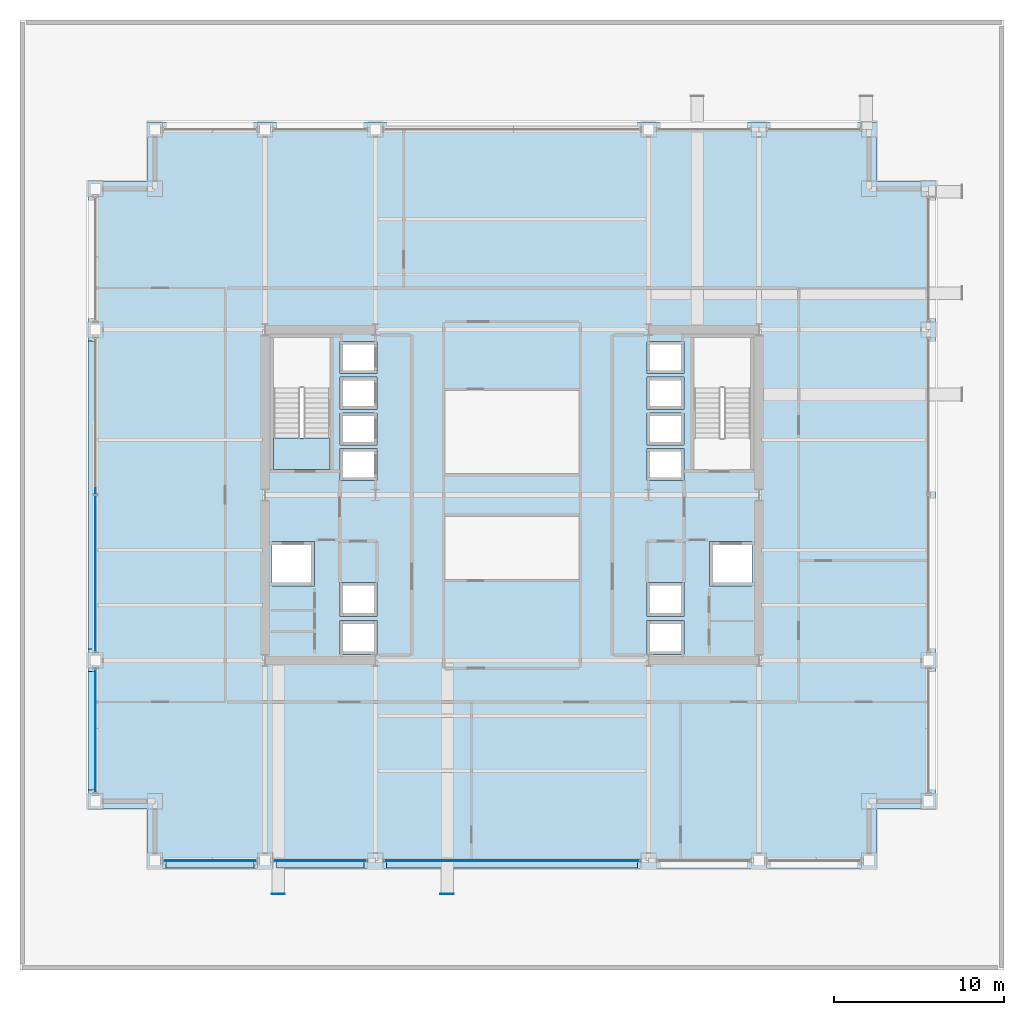
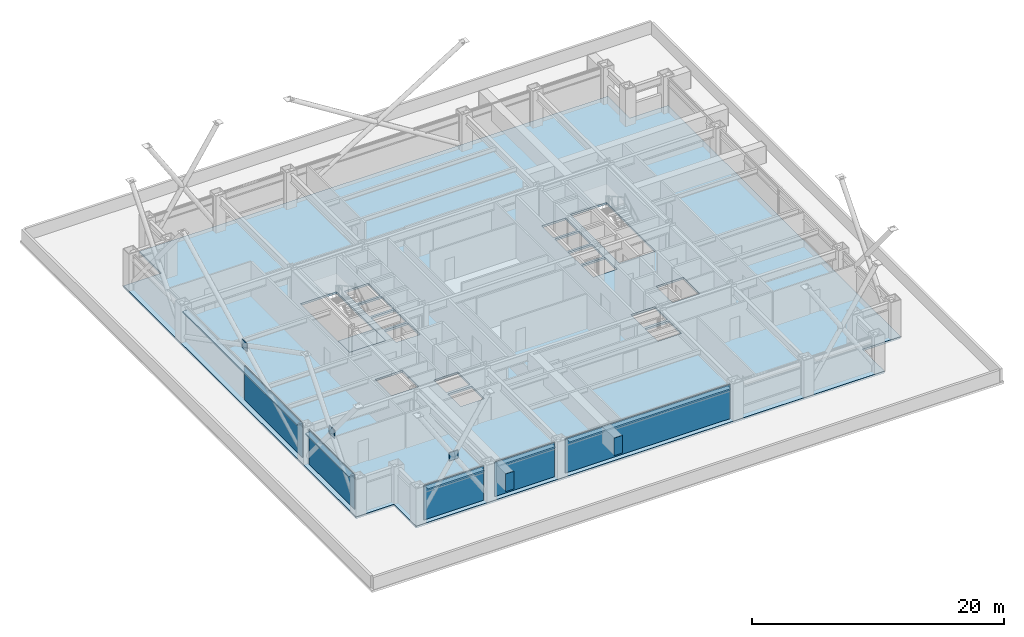
# One storey, part 26 of 33: 15 plates, 2 slabs, 5 elements without a shape of their own.
"""IFC4 building model written with IfcOpenShell, lengths in metres."""

from ifc_helpers import new_model, si_unit, direction, frame, origin, origin_2d, place, context, subcontext, project, spatial, polyline, rectangle, outline, extrude, material, layer, layer_set, type_object, element, aggregate, save


model = new_model("IFC4")

# Units and contexts
model_context = context("Model", 3, precision=1e-05, world=origin(), true_north=direction((0.0, 1.0)))
body_context = subcontext(model_context, "Body", "Model", "MODEL_VIEW")
ifc_project = project(units=[si_unit("LENGTHUNIT", "METRE"), si_unit("AREAUNIT", "SQUARE_METRE"), si_unit("VOLUMEUNIT", "CUBIC_METRE"), si_unit("PLANEANGLEUNIT", "RADIAN"), si_unit("MASSUNIT", "GRAM", prefix="KILO")], contexts=[model_context])

# Site, building, storey
site_placement = place(None, origin())
site = spatial("IfcSite", under=ifc_project, at=site_placement, CompositionType="ELEMENT")
building_placement = place(site_placement, origin())
building = spatial("IfcBuilding", under=site, at=building_placement, Name="Brelmoor Portico Tower", CompositionType="ELEMENT")
storey_placement = place(building_placement, frame((0.0, 0.0, 24.0)))
storey = spatial("IfcBuildingStorey", under=building, at=storey_placement, Name="L05", CompositionType="ELEMENT", Elevation=24.0)

# Plates
ifc_material_1 = material(Name="Steel Q355B", Category="steel")
ifc_layer_1 = layer(ifc_material_1, 0.044921875)
ifc_layer_set_1 = layer_set([ifc_layer_1], Name="Steel Q355B")
plate_type_1 = type_object("IfcPlateType", Name="PT-CAP-650", PredefinedType="SHEET", material=ifc_layer_set_1)
for number, where, z_axis, x_axis, name in (
    (1, (-13.780029296875, -23.52001953125, 1.72021484375), (0.0, 0.0, 1.0), (1.0, 0.0, 0.0), "L05 Picture-Frame Cantilever End Cap Plate PFB-01"),
    (2, (-3.820068359375, -23.52001953125, 1.72021484375), (0.0, 0.0, 1.0), (1.0, 0.0, 0.0), "L05 Picture-Frame Cantilever End Cap Plate PFB-02"),
):
    element("IfcPlate", number, at=place(storey_placement, frame(where, z_axis=z_axis, x_axis=x_axis)), inside=storey, type_object=plate_type_1, Name=name, PredefinedType="SHEET", context=body_context, shape_type="SweptSolid", body=[
        extrude(rectangle(XDim=0.7900390625, YDim=0.0400390625, at=origin_2d()), origin(), (0.0, 0.0, 1.0), 1.699951171875),
    ])

# Curtain wall, plate
ifc_material_2 = material(Name="Anodised Aluminium Alloy 6063-T6", Category="aluminium")
ifc_layer_2 = layer(ifc_material_2, 0.179931640625)
ifc_layer_set_2 = layer_set([ifc_layer_2], Name="Anodised Aluminium Alloy 6063-T6")
curtain_wall_type = type_object("IfcCurtainWallType", Name="CW-TOWER-Z1-XB", PredefinedType="NOTDEFINED", material=ifc_layer_set_2)
curtain_wall_1_placement = place(storey_placement, origin())
curtain_wall_1 = element("IfcCurtainWall", 3, at=curtain_wall_1_placement, inside=storey, type_object=curtain_wall_type, Name="L05 Curtain Wall CW-L05-01-1", PredefinedType="NOTDEFINED")
ifc_material_3 = material(Name="Pale Champagne Anodised Aluminium Panel", Category="aluminium")
ifc_layer_3 = layer(ifc_material_3, 0.050048828125)
ifc_layer_set_3 = layer_set([ifc_layer_3], Name="Pale Champagne Anodised Aluminium Panel")
plate_type_2 = type_object("IfcPlateType", Name="PT-CW-SPANDREL", PredefinedType="SHEET", material=ifc_layer_set_3)
plate_1_placement = place(storey_placement, frame((-17.800048828125, -21.550048828125, 0.0), z_axis=(0.0, 0.0, 1.0), x_axis=(1.0, 0.0, 0.0)))
plate_1 = element("IfcPlate", 4, at=plate_1_placement, type_object=plate_type_2, Name="CW-L05-01-1 Spandrel Panel 00", PredefinedType="SHEET", context=body_context, shape_type="SweptSolid", body=[
    extrude(rectangle(XDim=5.5, YDim=0.050048828125, at=origin_2d()), origin(), (0.0, 0.0, 1.0), 3.330078125),
])
aggregate(curtain_wall_1, [plate_1])

curtain_wall_2_placement = place(storey_placement, origin())
curtain_wall_2 = element("IfcCurtainWall", 5, at=curtain_wall_2_placement, inside=storey, type_object=curtain_wall_type, Name="L05 Curtain Wall CW-L05-01-2", PredefinedType="NOTDEFINED")
plate_2_placement = place(storey_placement, frame((-11.300048828125, -21.550048828125, 0.0), z_axis=(0.0, 0.0, 1.0), x_axis=(1.0, 0.0, 0.0)))
plate_2 = element("IfcPlate", 6, at=plate_2_placement, type_object=plate_type_2, Name="CW-L05-01-2 Spandrel Panel 00", PredefinedType="SHEET", context=body_context, shape_type="SweptSolid", body=[
    extrude(rectangle(XDim=5.5, YDim=0.050048828125, at=origin_2d()), origin(), (0.0, 0.0, 1.0), 3.330078125),
])
aggregate(curtain_wall_2, [plate_2])

curtain_wall_3_placement = place(storey_placement, origin())
curtain_wall_3 = element("IfcCurtainWall", 7, at=curtain_wall_3_placement, inside=storey, type_object=curtain_wall_type, Name="L05 Curtain Wall CW-L05-01-3", PredefinedType="NOTDEFINED")
plate_3_placement = place(storey_placement, frame((0.0, -21.550048828125, 0.0), z_axis=(0.0, 0.0, 1.0), x_axis=(1.0, 0.0, 0.0)))
plate_3 = element("IfcPlate", 8, at=plate_3_placement, type_object=plate_type_2, Name="CW-L05-01-3 Spandrel Panel 00", PredefinedType="SHEET", context=body_context, shape_type="SweptSolid", body=[
    extrude(rectangle(XDim=15.10009765625, YDim=0.050048828125, at=origin_2d()), origin(), (0.0, 0.0, 1.0), 3.330078125),
])
aggregate(curtain_wall_3, [plate_3])

curtain_wall_4_placement = place(storey_placement, origin())
curtain_wall_4 = element("IfcCurtainWall", 9, at=curtain_wall_4_placement, inside=storey, type_object=curtain_wall_type, Name="L05 Curtain Wall CW-L05-03-1", PredefinedType="NOTDEFINED")
plate_4_placement = place(storey_placement, frame((-24.550048828125, -13.89990234375, 0.0), z_axis=(0.0, 0.0, 1.0), x_axis=(0.0, 1.0, 0.0)))
plate_4 = element("IfcPlate", 10, at=plate_4_placement, type_object=plate_type_2, Name="CW-L05-03-1 Spandrel Panel 00", PredefinedType="SHEET", context=body_context, shape_type="SweptSolid", body=[
    extrude(rectangle(XDim=7.300048828125, YDim=0.050048828125, at=origin_2d()), origin(), (0.0, 0.0, 1.0), 3.330078125),
])
aggregate(curtain_wall_4, [plate_4])

curtain_wall_5_placement = place(storey_placement, origin())
curtain_wall_5 = element("IfcCurtainWall", 11, at=curtain_wall_5_placement, inside=storey, type_object=curtain_wall_type, Name="L05 Curtain Wall CW-L05-03-2", PredefinedType="NOTDEFINED")
plate_5_placement = place(storey_placement, frame((-24.550048828125, -4.632568359375, 0.0), z_axis=(0.0, 0.0, 1.0), x_axis=(0.0, 1.0, 0.0)))
plate_5 = element("IfcPlate", 12, at=plate_5_placement, type_object=plate_type_2, Name="CW-L05-03-2 Spandrel Panel 00", PredefinedType="SHEET", context=body_context, shape_type="SweptSolid", body=[
    extrude(rectangle(XDim=9.235107421875, YDim=0.050048828125, at=origin_2d()), origin(), (0.0, 0.0, 1.0), 3.330078125),
])
aggregate(curtain_wall_5, [plate_5])

# Plates
ifc_layer_4 = layer(ifc_material_1, 0.050048828125)
ifc_layer_set_4 = layer_set([ifc_layer_4], Name="Steel Q355B")
plate_type_3 = type_object("IfcPlateType", Name="PT-GUSSET-800", PredefinedType="USERDEFINED", material=ifc_layer_set_4)
plate_6_placement = place(storey_placement, frame((-17.800048828125, -21.550048828125, 4.89990234375), z_axis=(0.0, 0.0, 1.0), x_axis=(1.0, 0.0, 0.0)))
element("IfcPlate", 13, at=plate_6_placement, inside=storey, type_object=plate_type_3, Name="L05 Perimeter Mega-Brace Gusset 001", ObjectType="GUSSET PLATE", PredefinedType="USERDEFINED", context=body_context, shape_type="SweptSolid", body=[
    extrude(rectangle(XDim=0.800048828125, YDim=0.050048828125, at=origin_2d()), origin(), (0.0, 0.0, 1.0), 0.800048828125),
])
for number, where, z_axis, x_axis, name in (
    (14, (-24.550048828125, -13.89990234375, 4.89990234375), (0.0, 0.0, 1.0), (1.0, 0.0, 0.0), "L05 Perimeter Mega-Brace Gusset 005"),
    (15, (-24.550048828125, 0.0, 4.89990234375), (0.0, 0.0, 1.0), (1.0, 0.0, 0.0), "L05 Perimeter Mega-Brace Gusset 006"),
):
    element("IfcPlate", number, at=place(storey_placement, frame(where, z_axis=z_axis, x_axis=x_axis)), inside=storey, type_object=plate_type_3, Name=name, ObjectType="GUSSET PLATE", PredefinedType="USERDEFINED", context=body_context, shape_type="SweptSolid", body=[
        extrude(rectangle(XDim=0.050048828125, YDim=0.800048828125, at=origin_2d()), origin(), (0.0, 0.0, 1.0), 0.800048828125),
    ])
ifc_material_4 = material(Name="Pale Champagne Perforated Aluminium Solar Screen", Category="aluminium")
ifc_layer_5 = layer(ifc_material_4, 0.054931640625)
ifc_layer_set_5 = layer_set([ifc_layer_5], Name="Pale Champagne Perforated Aluminium Solar Screen")
plate_type_4 = type_object("IfcPlateType", Name="PT-SOLAR-LOUVRE", PredefinedType="SHEET", material=ifc_layer_set_5)
for number, where, z_axis, x_axis, name in (
    (16, (-17.800048828125, -21.760009765625, 3.08984375), (0.0, 0.0, 1.0), (1.0, 0.0, 0.0), "CW-L05-01-1 Caribbean Brise-Soleil Solar Screen"),
    (17, (-11.300048828125, -21.760009765625, 3.08984375), (0.0, 0.0, 1.0), (1.0, 0.0, 0.0), "CW-L05-01-2 Caribbean Brise-Soleil Solar Screen"),
):
    element("IfcPlate", number, at=place(storey_placement, frame(where, z_axis=z_axis, x_axis=x_axis)), inside=storey, type_object=plate_type_4, Name=name, PredefinedType="SHEET", context=body_context, shape_type="SweptSolid", body=[
        extrude(rectangle(XDim=5.169921875, YDim=0.4599609375, at=origin_2d()), origin(), (0.0, 0.0, 1.0), 0.139892578125),
    ])
plate_7_placement = place(storey_placement, frame((0.0, -21.760009765625, 3.08984375), z_axis=(0.0, 0.0, 1.0), x_axis=(1.0, 0.0, 0.0)))
element("IfcPlate", 18, at=plate_7_placement, inside=storey, type_object=plate_type_4, Name="CW-L05-01-3 Caribbean Brise-Soleil Solar Screen", PredefinedType="SHEET", context=body_context, shape_type="SweptSolid", body=[
    extrude(rectangle(XDim=14.77001953125, YDim=0.4599609375, at=origin_2d()), origin(), (0.0, 0.0, 1.0), 0.139892578125),
])
plate_8_placement = place(storey_placement, frame((-24.760009765625, -13.89990234375, 3.08984375), z_axis=(0.0, 0.0, 1.0), x_axis=(0.0, 1.0, 0.0)))
element("IfcPlate", 19, at=plate_8_placement, inside=storey, type_object=plate_type_4, Name="CW-L05-03-1 Caribbean Brise-Soleil Solar Screen", PredefinedType="SHEET", context=body_context, shape_type="SweptSolid", body=[
    extrude(rectangle(XDim=6.969970703125, YDim=0.4599609375, at=origin_2d()), origin(), (0.0, 0.0, 1.0), 0.139892578125),
])
plate_9_placement = place(storey_placement, frame((-24.760009765625, 0.0, 3.08984375), z_axis=(0.0, 0.0, 1.0), x_axis=(0.0, 1.0, 0.0)))
element("IfcPlate", 20, at=plate_9_placement, inside=storey, type_object=plate_type_4, Name="CW-L05-03-2 Caribbean Brise-Soleil Solar Screen", PredefinedType="SHEET", context=body_context, shape_type="SweptSolid", body=[
    extrude(rectangle(XDim=18.169921875, YDim=0.4599609375, at=origin_2d()), origin(), (0.0, 0.0, 1.0), 0.139892578125),
])

# Slabs
ifc_material_5 = material(Name="Concrete C40", Category="concrete")
ifc_layer_6 = layer(ifc_material_5, 0.199951171875)
ifc_layer_set_6 = layer_set([ifc_layer_6], Name="Concrete C40")
slab_type_1 = type_object("IfcSlabType", Name="SL-FLOOR-200", PredefinedType="FLOOR", material=ifc_layer_set_6)
slab_1_placement = place(storey_placement, frame((0.0, 0.0, -0.199951171875)))
element("IfcSlab", 21, at=slab_1_placement, inside=storey, type_object=slab_type_1, Name="L05 Main Structural Floor Slab", PredefinedType="FLOOR", context=body_context, shape_type="SweptSolid", body=[
    extrude(outline(polyline([(-21.5, -22.0), (21.5, -22.0), (21.5, -18.5), (25.0, -18.5), (25.0, 18.5), (21.5, 18.5), (21.5, 22.0), (-21.5, 22.0), (-21.5, 18.5), (-25.0, 18.5), (-25.0, -18.5), (-21.5, -18.5), (-21.5, -22.0)]), holes=[polyline([(-10.72998046875, 1.5), (-10.72998046875, 9.300048828125), (-14.050048828125, 9.300048828125), (-14.050048828125, 1.5), (-10.72998046875, 1.5)]), polyline([(14.050048828125, 1.5), (14.050048828125, 9.300048828125), (10.72998046875, 9.300048828125), (10.72998046875, 1.5), (14.050048828125, 1.5)]), polyline([(-10.14990234375, 0.85009765625), (-7.949951171875, 0.85009765625), (-7.949951171875, 2.75), (-10.14990234375, 2.75), (-10.14990234375, 0.85009765625)]), polyline([(-10.14990234375, 2.949951171875), (-7.949951171875, 2.949951171875), (-7.949951171875, 4.85009765625), (-10.14990234375, 4.85009765625), (-10.14990234375, 2.949951171875)]), polyline([(-10.14990234375, 5.050048828125), (-7.949951171875, 5.050048828125), (-7.949951171875, 6.949951171875), (-10.14990234375, 6.949951171875), (-10.14990234375, 5.050048828125)]), polyline([(-10.14990234375, 7.14990234375), (-7.949951171875, 7.14990234375), (-7.949951171875, 9.050048828125), (-10.14990234375, 9.050048828125), (-10.14990234375, 7.14990234375)]), polyline([(7.949951171875, 0.85009765625), (10.14990234375, 0.85009765625), (10.14990234375, 2.75), (7.949951171875, 2.75), (7.949951171875, 0.85009765625)]), polyline([(7.949951171875, 2.949951171875), (10.14990234375, 2.949951171875), (10.14990234375, 4.85009765625), (7.949951171875, 4.85009765625), (7.949951171875, 2.949951171875)]), polyline([(7.949951171875, 5.050048828125), (10.14990234375, 5.050048828125), (10.14990234375, 6.949951171875), (7.949951171875, 6.949951171875), (7.949951171875, 5.050048828125)]), polyline([(7.949951171875, 7.14990234375), (10.14990234375, 7.14990234375), (10.14990234375, 9.050048828125), (7.949951171875, 9.050048828125), (7.949951171875, 7.14990234375)]), polyline([(-10.14990234375, -9.39990234375), (-7.949951171875, -9.39990234375), (-7.949951171875, -7.39990234375), (-10.14990234375, -7.39990234375), (-10.14990234375, -9.39990234375)]), polyline([(-10.14990234375, -7.14990234375), (-7.949951171875, -7.14990234375), (-7.949951171875, -5.14990234375), (-10.14990234375, -5.14990234375), (-10.14990234375, -7.14990234375)]), polyline([(7.949951171875, -9.39990234375), (10.14990234375, -9.39990234375), (10.14990234375, -7.39990234375), (7.949951171875, -7.39990234375), (7.949951171875, -9.39990234375)]), polyline([(7.949951171875, -7.14990234375), (10.14990234375, -7.14990234375), (10.14990234375, -5.14990234375), (7.949951171875, -5.14990234375), (7.949951171875, -7.14990234375)]), polyline([(-14.14990234375, -5.35009765625), (-11.64990234375, -5.35009765625), (-11.64990234375, -2.75), (-14.14990234375, -2.75), (-14.14990234375, -5.35009765625)]), polyline([(11.64990234375, -5.35009765625), (14.14990234375, -5.35009765625), (14.14990234375, -2.75), (11.64990234375, -2.75), (11.64990234375, -5.35009765625)])]), origin(), (0.0, 0.0, 1.0), 0.199951171875),
])
ifc_layer_7 = layer(ifc_material_5, 0.199951171875)
ifc_layer_set_7 = layer_set([ifc_layer_7], Name="Concrete C40")
slab_type_2 = type_object("IfcSlabType", Name="SL-STAIR-FL200", PredefinedType="LANDING", material=ifc_layer_set_7)
slab_2_placement = place(storey_placement, frame((0.0, 0.0, -0.199951171875)))
element("IfcSlab", 22, at=slab_2_placement, inside=storey, type_object=slab_type_2, Name="L05 ST-W Structural Floor Landing Slab", PredefinedType="LANDING", context=body_context, shape_type="SweptSolid", body=[
    extrude(outline(polyline([(-10.72998046875, 1.5), (-10.72998046875, 3.35009765625), (-14.050048828125, 3.35009765625), (-14.050048828125, 1.5), (-10.72998046875, 1.5)])), origin(), (0.0, 0.0, 1.0), 0.199951171875),
])

save(model, "model.ifc")
